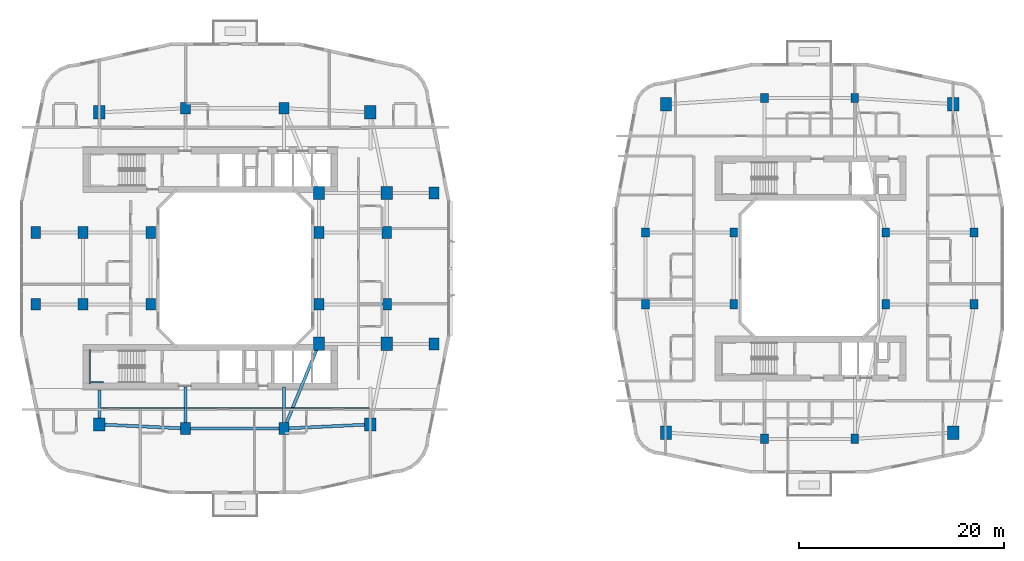
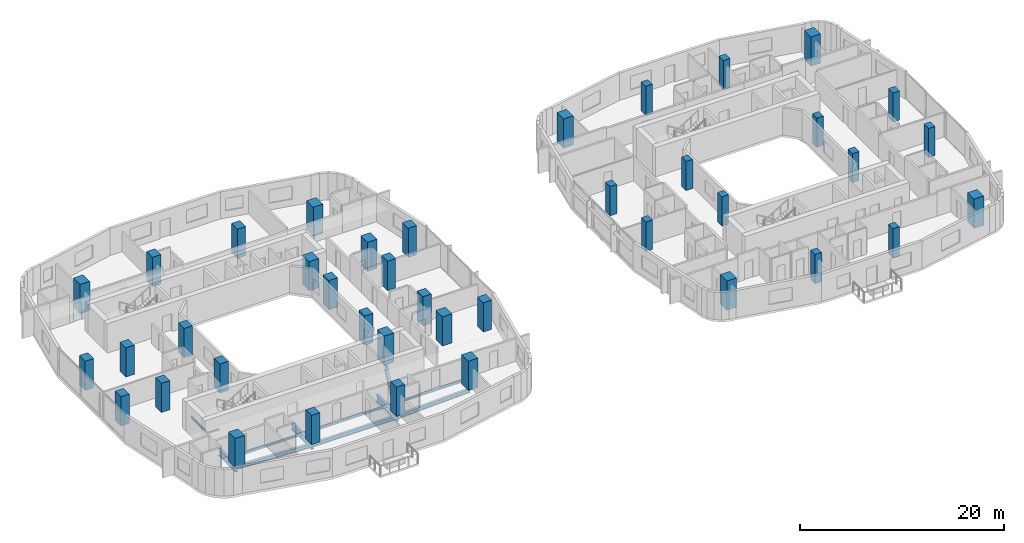
# One storey, part 1 of 22: 40 columns, 12 beams.
"""IFC4 building model written with IfcOpenShell, lengths in metres."""

from ifc_helpers import new_model, si_unit, derived_unit, direction, frame, origin, origin_2d, place, context, subcontext, project, spatial, rectangle, i_section, extrude, material, material_profile, profile_set, type_object, element, save


model = new_model("IFC4")

# Units and contexts
model_context = context("Model", 3, precision=1e-05, world=origin(), true_north=direction((0.0, 1.0)))
body_context = subcontext(model_context, "Body", "Model", "MODEL_VIEW")
ifc_project = project(units=[si_unit("LENGTHUNIT", "METRE"), si_unit("AREAUNIT", "SQUARE_METRE"), si_unit("VOLUMEUNIT", "CUBIC_METRE"), si_unit("PLANEANGLEUNIT", "RADIAN"), si_unit("MASSUNIT", "GRAM", prefix="KILO"), derived_unit("THERMALTRANSMITTANCEUNIT", [(si_unit("POWERUNIT", "WATT"), 1), (si_unit("LENGTHUNIT", "METRE"), -2), (si_unit("THERMODYNAMICTEMPERATUREUNIT", "KELVIN"), -1)])], contexts=[model_context])

# Site, building, storey
site_placement = place(None, origin())
site = spatial("IfcSite", under=ifc_project, at=site_placement, CompositionType="ELEMENT")
building_placement = place(site_placement, origin())
building = spatial("IfcBuilding", under=site, at=building_placement, Name="Kivonza Crest Hotel", CompositionType="ELEMENT")
storey_placement = place(building_placement, frame((0.0, 0.0, 48.5)))
storey = spatial("IfcBuildingStorey", under=building, at=storey_placement, Name="L12", CompositionType="ELEMENT", Elevation=48.5)

# Columns
ifc_material_1 = material(Name="Concrete C60/75", Category="concrete")
ifc_material_profile_1 = material_profile(ifc_material_1, rectangle(XDim=0.949951171875, YDim=1.14990234375, at=origin_2d()), Name="RC 1150x950")
ifc_profile_set_1 = profile_set([ifc_material_profile_1], Name="Concrete C60/75")
column_type_1 = type_object("IfcColumnType", Name="CL-RC-1150x950", PredefinedType="COLUMN", material=ifc_profile_set_1)
for number, where, z_axis, x_axis, name in (
    (1, (16.199951171875, 9.39990234375, 0.0), (0.0, 0.0, 1.0), (1.0, 0.0, 0.0), "Tower T1 L12 column S1"),
    (2, (25.800048828125, 9.39990234375, 0.0), (0.0, 0.0, 1.0), (1.0, 0.0, 0.0), "Tower T1 L12 column S2"),
    (3, (16.199951171875, 40.60009765625, 0.0), (0.0, 0.0, 1.0), (1.0, 0.0, 0.0), "Tower T1 L12 column N1"),
    (4, (25.800048828125, 40.60009765625, 0.0), (0.0, 0.0, 1.0), (1.0, 0.0, 0.0), "Tower T1 L12 column N2"),
    (5, (6.199951171875, 21.5, 0.0), (0.0, 0.0, 1.0), (1.0, 0.0, 0.0), "Tower T1 L12 column W1"),
    (6, (6.199951171875, 28.5, 0.0), (0.0, 0.0, 1.0), (1.0, 0.0, 0.0), "Tower T1 L12 column W2"),
    (7, (35.800048828125, 21.5, 0.0), (0.0, 0.0, 1.0), (1.0, 0.0, 0.0), "Tower T1 L12 column E1"),
    (8, (35.800048828125, 28.5, 0.0), (0.0, 0.0, 1.0), (1.0, 0.0, 0.0), "Tower T1 L12 column E2"),
    (9, (12.800048828125, 21.5, 0.0), (0.0, 0.0, 1.0), (1.0, 0.0, 0.0), "Tower T1 L12 column WL1"),
    (10, (12.800048828125, 28.5, 0.0), (0.0, 0.0, 1.0), (1.0, 0.0, 0.0), "Tower T1 L12 column WL2"),
    (11, (29.199951171875, 21.5, 0.0), (0.0, 0.0, 1.0), (1.0, 0.0, 0.0), "Tower T1 L12 column WR1"),
    (12, (29.199951171875, 28.5, 0.0), (0.0, 0.0, 1.0), (1.0, 0.0, 0.0), "Tower T1 L12 column WR2"),
    (13, (1.60009765625, 21.5, 0.0), (0.0, 0.0, 1.0), (1.0, 0.0, 0.0), "Tower T1 L12 column Z1W1"),
    (14, (1.60009765625, 28.5, 0.0), (0.0, 0.0, 1.0), (1.0, 0.0, 0.0), "Tower T1 L12 column Z1W2"),
    (15, (40.39990234375, 17.64990234375, 0.0), (0.0, 0.0, 1.0), (1.0, 0.0, 0.0), "Tower T1 L12 column Z1E1"),
    (16, (40.39990234375, 32.35009765625, 0.0), (0.0, 0.0, 1.0), (1.0, 0.0, 0.0), "Tower T1 L12 column Z1E2"),
):
    element("IfcColumn", number, at=place(storey_placement, frame(where, z_axis=z_axis, x_axis=x_axis)), inside=storey, type_object=column_type_1, Name=name, PredefinedType="COLUMN", context=body_context, shape_type="SweptSolid", body=[
        extrude(rectangle(XDim=0.949951171875, YDim=1.14990234375, at=origin_2d()), origin(), (0.0, 0.0, 1.0), 3.5),
    ])
ifc_material_profile_2 = material_profile(ifc_material_1, rectangle(XDim=1.10009765625, YDim=1.300048828125, at=origin_2d()), Name="RC 1300x1100")
ifc_profile_set_2 = profile_set([ifc_material_profile_2], Name="Concrete C60/75")
column_type_2 = type_object("IfcColumnType", Name="CL-RC-1300x1100", PredefinedType="COLUMN", material=ifc_profile_set_2)
for number, where, z_axis, x_axis, name in (
    (17, (7.800048828125, 9.800048828125, 0.0), (0.0, 0.0, 1.0), (1.0, 0.0, 0.0), "Tower T1 L12 column SW"),
    (18, (34.199951171875, 9.800048828125, 0.0), (0.0, 0.0, 1.0), (1.0, 0.0, 0.0), "Tower T1 L12 column SE"),
    (19, (34.199951171875, 40.199951171875, 0.0), (0.0, 0.0, 1.0), (1.0, 0.0, 0.0), "Tower T1 L12 column NE"),
    (20, (7.800048828125, 40.199951171875, 0.0), (0.0, 0.0, 1.0), (1.0, 0.0, 0.0), "Tower T1 L12 column NW"),
    (21, (35.800048828125, 17.64990234375, 0.0), (0.0, 0.0, 1.0), (1.0, 0.0, 0.0), "Tower T1 L12 column PSE"),
    (22, (35.800048828125, 32.35009765625, 0.0), (0.0, 0.0, 1.0), (1.0, 0.0, 0.0), "Tower T1 L12 column PNE"),
    (23, (29.199951171875, 17.64990234375, 0.0), (0.0, 0.0, 1.0), (1.0, 0.0, 0.0), "Tower T1 L12 column TSE"),
    (24, (29.199951171875, 32.35009765625, 0.0), (0.0, 0.0, 1.0), (1.0, 0.0, 0.0), "Tower T1 L12 column TNE"),
    (25, (63.0, 9.0, 0.0), (0.0, 0.0, 1.0), (1.0, 0.0, 0.0), "Companion Tower T2 L12 column SW"),
    (26, (91.0, 9.0, 0.0), (0.0, 0.0, 1.0), (1.0, 0.0, 0.0), "Companion Tower T2 L12 column SE"),
    (27, (91.0, 41.0, 0.0), (0.0, 0.0, 1.0), (1.0, 0.0, 0.0), "Companion Tower T2 L12 column NE"),
    (28, (63.0, 41.0, 0.0), (0.0, 0.0, 1.0), (1.0, 0.0, 0.0), "Companion Tower T2 L12 column NW"),
):
    element("IfcColumn", number, at=place(storey_placement, frame(where, z_axis=z_axis, x_axis=x_axis)), inside=storey, type_object=column_type_2, Name=name, PredefinedType="COLUMN", context=body_context, shape_type="SweptSolid", body=[
        extrude(rectangle(XDim=1.10009765625, YDim=1.300048828125, at=origin_2d()), origin(), (0.0, 0.0, 1.0), 3.5),
    ])
ifc_material_2 = material(Name="Concrete C50/60", Category="concrete")
ifc_material_profile_3 = material_profile(ifc_material_2, rectangle(XDim=0.75, YDim=0.89990234375, at=origin_2d()), Name="RC 900x750")
ifc_profile_set_3 = profile_set([ifc_material_profile_3], Name="Concrete C50/60")
column_type_3 = type_object("IfcColumnType", Name="CL-RC-900x750", PredefinedType="COLUMN", material=ifc_profile_set_3)
for number, where, z_axis, x_axis, name in (
    (29, (72.60009765625, 8.39990234375, 0.0), (0.0, 0.0, 1.0), (1.0, 0.0, 0.0), "Companion Tower T2 L12 column S1"),
    (30, (81.39990234375, 8.39990234375, 0.0), (0.0, 0.0, 1.0), (1.0, 0.0, 0.0), "Companion Tower T2 L12 column S2"),
    (31, (72.60009765625, 41.60009765625, 0.0), (0.0, 0.0, 1.0), (1.0, 0.0, 0.0), "Companion Tower T2 L12 column N1"),
    (32, (81.39990234375, 41.60009765625, 0.0), (0.0, 0.0, 1.0), (1.0, 0.0, 0.0), "Companion Tower T2 L12 column N2"),
    (33, (61.0, 21.5, 0.0), (0.0, 0.0, 1.0), (1.0, 0.0, 0.0), "Companion Tower T2 L12 column W1"),
    (34, (61.0, 28.5, 0.0), (0.0, 0.0, 1.0), (1.0, 0.0, 0.0), "Companion Tower T2 L12 column W2"),
    (35, (93.0, 21.5, 0.0), (0.0, 0.0, 1.0), (1.0, 0.0, 0.0), "Companion Tower T2 L12 column E1"),
    (36, (93.0, 28.5, 0.0), (0.0, 0.0, 1.0), (1.0, 0.0, 0.0), "Companion Tower T2 L12 column E2"),
    (37, (69.60009765625, 21.5, 0.0), (0.0, 0.0, 1.0), (1.0, 0.0, 0.0), "Companion Tower T2 L12 column WL1"),
    (38, (69.60009765625, 28.5, 0.0), (0.0, 0.0, 1.0), (1.0, 0.0, 0.0), "Companion Tower T2 L12 column WL2"),
    (39, (84.39990234375, 21.5, 0.0), (0.0, 0.0, 1.0), (1.0, 0.0, 0.0), "Companion Tower T2 L12 column WR1"),
    (40, (84.39990234375, 28.5, 0.0), (0.0, 0.0, 1.0), (1.0, 0.0, 0.0), "Companion Tower T2 L12 column WR2"),
):
    element("IfcColumn", number, at=place(storey_placement, frame(where, z_axis=z_axis, x_axis=x_axis)), inside=storey, type_object=column_type_3, Name=name, PredefinedType="COLUMN", context=body_context, shape_type="SweptSolid", body=[
        extrude(rectangle(XDim=0.75, YDim=0.89990234375, at=origin_2d()), origin(), (0.0, 0.0, 1.0), 3.5),
    ])

# Beams
ifc_material_3 = material(Name="Steel S355", Category="steel")
ifc_material_profile_4 = material_profile(ifc_material_3, i_section(OverallWidth=0.300048828125, OverallDepth=0.449951171875, WebThickness=0.013916015625, FlangeThickness=0.02587890625, FilletRadius=0.027099609375, at=origin_2d()), Name="HEB 450")
ifc_profile_set_4 = profile_set([ifc_material_profile_4], Name="Steel S355")
beam_type_1 = type_object("IfcBeamType", Name="BM-HEB450", PredefinedType="SPANDREL", material=ifc_profile_set_4)
beam_1_placement = place(storey_placement, frame((16.199951171875, 9.39990234375, -0.5048828125), z_axis=(1.0, 0.0, 0.0), x_axis=(0.0, 1.0, 0.0)))
element("IfcBeam", 41, at=beam_1_placement, inside=storey, type_object=beam_type_1, Name="Tower T1 L12 perimeter spandrel S1-S2", PredefinedType="SPANDREL", context=body_context, shape_type="SweptSolid", body=[
    extrude(i_section(OverallWidth=0.300048828125, OverallDepth=0.449951171875, WebThickness=0.013916015625, FlangeThickness=0.02587890625, FilletRadius=0.027099609375, at=origin_2d()), origin(), (0.0, 0.0, 1.0), 9.60009765625),
])
for number, where, z_axis, x_axis, name in (
    (42, (25.800048828125, 9.39990234375, -0.5048828125), (0.998867283688, 0.047583080799, 0.0), (-0.047583080799, 0.998867283688, 0.0), "Tower T1 L12 perimeter spandrel S2-SE"),
    (43, (7.800048828125, 9.800048828125, -0.5048828125), (0.998867283688, -0.047583080799, 0.0), (0.047583080799, 0.998867283688, 0.0), "Tower T1 L12 perimeter spandrel SW-S1"),
):
    element("IfcBeam", number, at=place(storey_placement, frame(where, z_axis=z_axis, x_axis=x_axis)), inside=storey, type_object=beam_type_1, Name=name, PredefinedType="SPANDREL", context=body_context, shape_type="SweptSolid", body=[
        extrude(i_section(OverallWidth=0.300048828125, OverallDepth=0.449951171875, WebThickness=0.013916015625, FlangeThickness=0.02587890625, FilletRadius=0.027099609375, at=origin_2d()), origin(), (0.0, 0.0, 1.0), 8.409423828125),
    ])
ifc_material_profile_5 = material_profile(ifc_material_3, i_section(OverallWidth=0.300048828125, OverallDepth=0.800048828125, WebThickness=0.017578125, FlangeThickness=0.032958984375, FilletRadius=0.030029296875, at=origin_2d()), Name="HEB 800")
ifc_profile_set_5 = profile_set([ifc_material_profile_5], Name="Steel S355")
beam_type_2 = type_object("IfcBeamType", Name="BM-HEB800", PredefinedType="BEAM", material=ifc_profile_set_5)
beam_2_placement = place(storey_placement, frame((25.800048828125, 9.39990234375, -0.679931640625), z_axis=(0.381022260404, 0.924565864109, 0.0), x_axis=(-0.924565864109, 0.381022260404, 0.0)))
element("IfcBeam", 44, at=beam_2_placement, inside=storey, type_object=beam_type_2, Name="Tower T1 L12 primary girder S1-TSE", PredefinedType="BEAM", context=body_context, shape_type="SweptSolid", body=[
    extrude(i_section(OverallWidth=0.300048828125, OverallDepth=0.800048828125, WebThickness=0.017578125, FlangeThickness=0.032958984375, FilletRadius=0.030029296875, at=origin_2d()), origin(), (0.0, 0.0, 1.0), 8.923095703125),
])
beam_3_placement = place(storey_placement, frame((7.800048828125, 9.800048828125, -0.679931640625), z_axis=(0.0, 1.0, 0.0), x_axis=(-1.0, 0.0, 0.0)))
element("IfcBeam", 45, at=beam_3_placement, inside=storey, type_object=beam_type_2, Name="Tower T1 L12 radial core girder RSW", PredefinedType="BEAM", context=body_context, shape_type="SweptSolid", body=[
    extrude(i_section(OverallWidth=0.300048828125, OverallDepth=0.800048828125, WebThickness=0.017578125, FlangeThickness=0.032958984375, FilletRadius=0.030029296875, at=origin_2d()), origin(), (0.0, 0.0, 1.0), 3.349853515625),
])
for number, where, z_axis, x_axis, name in (
    (46, (16.199951171875, 9.39990234375, -0.679931640625), (0.0, 1.0, 0.0), (-1.0, 0.0, 0.0), "Tower T1 L12 radial core girder RS1"),
    (47, (25.800048828125, 9.39990234375, -0.679931640625), (0.0, 1.0, 0.0), (-1.0, 0.0, 0.0), "Tower T1 L12 radial core girder RS2"),
):
    element("IfcBeam", number, at=place(storey_placement, frame(where, z_axis=z_axis, x_axis=x_axis)), inside=storey, type_object=beam_type_2, Name=name, PredefinedType="BEAM", context=body_context, shape_type="SweptSolid", body=[
        extrude(i_section(OverallWidth=0.300048828125, OverallDepth=0.800048828125, WebThickness=0.017578125, FlangeThickness=0.032958984375, FilletRadius=0.030029296875, at=origin_2d()), origin(), (0.0, 0.0, 1.0), 4.050048828125),
    ])
ifc_material_profile_6 = material_profile(ifc_material_3, i_section(OverallWidth=0.135009765625, OverallDepth=0.27001953125, WebThickness=0.006591796875, FlangeThickness=0.01025390625, FilletRadius=0.014892578125, at=origin_2d()), Name="IPE 270")
ifc_profile_set_6 = profile_set([ifc_material_profile_6], Name="Steel S355")
beam_type_3 = type_object("IfcBeamType", Name="BM-IPE270", PredefinedType="JOIST", material=ifc_profile_set_6)
beam_4_placement = place(storey_placement, frame((7.8798828125, 11.39990234375, -0.4150390625), z_axis=(1.0, 0.0, 0.0), x_axis=(0.0, 1.0, 0.0)))
element("IfcBeam", 48, at=beam_4_placement, inside=storey, type_object=beam_type_3, Name="Tower T1 L12 South-West floor joist", PredefinedType="JOIST", context=body_context, shape_type="SweptSolid", body=[
    extrude(i_section(OverallWidth=0.135009765625, OverallDepth=0.27001953125, WebThickness=0.006591796875, FlangeThickness=0.01025390625, FilletRadius=0.014892578125, at=origin_2d()), origin(), (0.0, 0.0, 1.0), 8.240234375),
])
beam_5_placement = place(storey_placement, frame((16.280029296875, 11.39990234375, -0.4150390625), z_axis=(1.0, 0.0, 0.0), x_axis=(0.0, 1.0, 0.0)))
element("IfcBeam", 49, at=beam_5_placement, inside=storey, type_object=beam_type_3, Name="Tower T1 L12 South-Mid floor joist", PredefinedType="JOIST", context=body_context, shape_type="SweptSolid", body=[
    extrude(i_section(OverallWidth=0.135009765625, OverallDepth=0.27001953125, WebThickness=0.006591796875, FlangeThickness=0.01025390625, FilletRadius=0.014892578125, at=origin_2d()), origin(), (0.0, 0.0, 1.0), 9.43994140625),
])
beam_6_placement = place(storey_placement, frame((25.8798828125, 11.39990234375, -0.4150390625), z_axis=(1.0, 0.0, 0.0), x_axis=(0.0, 1.0, 0.0)))
element("IfcBeam", 50, at=beam_6_placement, inside=storey, type_object=beam_type_3, Name="Tower T1 L12 South-East floor joist", PredefinedType="JOIST", context=body_context, shape_type="SweptSolid", body=[
    extrude(i_section(OverallWidth=0.135009765625, OverallDepth=0.27001953125, WebThickness=0.006591796875, FlangeThickness=0.01025390625, FilletRadius=0.014892578125, at=origin_2d()), origin(), (0.0, 0.0, 1.0), 8.240234375),
])
ifc_material_profile_7 = material_profile(ifc_material_3, i_section(OverallWidth=0.1201171875, OverallDepth=0.239990234375, WebThickness=0.006103515625, FlangeThickness=0.009765625, FilletRadius=0.014892578125, at=origin_2d()), Name="IPE 240")
ifc_profile_set_7 = profile_set([ifc_material_profile_7], Name="Steel S355")
beam_type_4 = type_object("IfcBeamType", Name="BM-LLDG-240", PredefinedType="BEAM", material=ifc_profile_set_7)
beam_7_placement = place(storey_placement, frame((6.860107421875, 13.739990234375, 1.429931640625), z_axis=(0.0, 1.0, 0.0), x_axis=(-1.0, 0.0, 0.0)))
element("IfcBeam", 51, at=beam_7_placement, inside=storey, type_object=beam_type_4, Name="Stair ST-T1-S L12 West landing corbel", PredefinedType="BEAM", context=body_context, shape_type="SweptSolid", body=[
    extrude(i_section(OverallWidth=0.1201171875, OverallDepth=0.239990234375, WebThickness=0.006103515625, FlangeThickness=0.009765625, FilletRadius=0.014892578125, at=origin_2d()), origin(), (0.0, 0.0, 1.0), 3.360107421875),
])
beam_8_placement = place(storey_placement, frame((6.989990234375, 13.89990234375, 1.429931640625), z_axis=(1.0, 0.0, 0.0), x_axis=(0.0, 1.0, 0.0)))
element("IfcBeam", 52, at=beam_8_placement, inside=storey, type_object=beam_type_4, Name="Stair ST-T1-S L12 South landing corbel", PredefinedType="BEAM", context=body_context, shape_type="SweptSolid", body=[
    extrude(i_section(OverallWidth=0.1201171875, OverallDepth=0.239990234375, WebThickness=0.006103515625, FlangeThickness=0.009765625, FilletRadius=0.014892578125, at=origin_2d()), origin(), (0.0, 0.0, 1.0), 1.2099609375),
])

save(model, "model.ifc")
